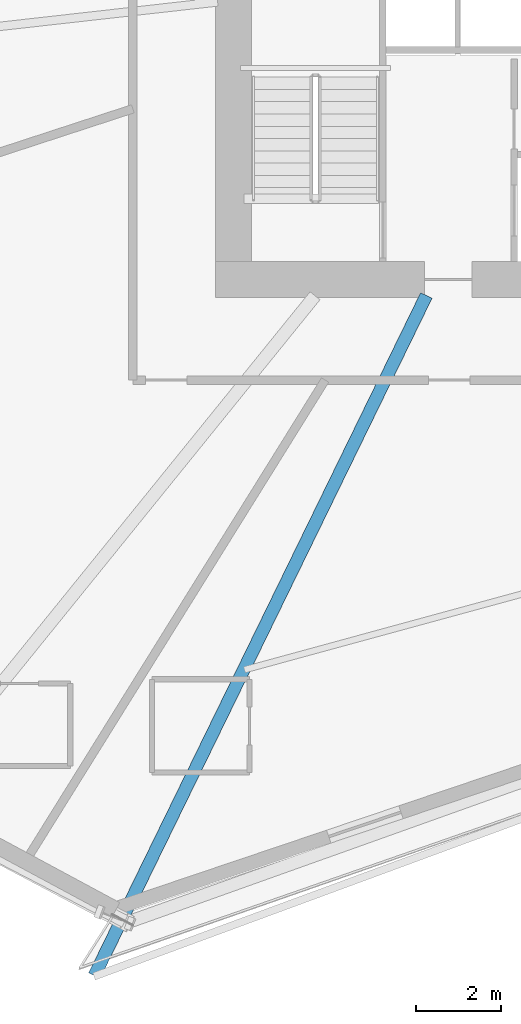
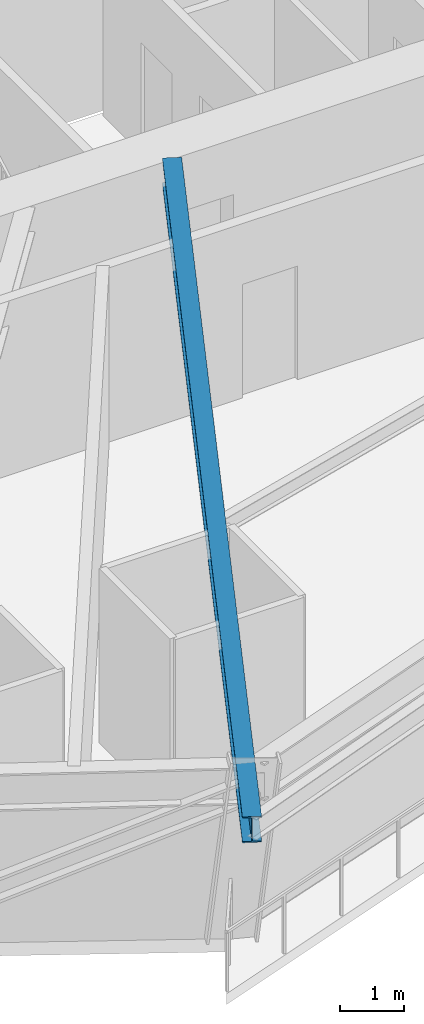
# One storey, part 3 of 22: 1 beam.
"""IFC4 building model written with IfcOpenShell, lengths in metres."""

from ifc_helpers import new_model, si_unit, direction, frame, origin, origin_2d, place, context, subcontext, project, spatial, i_section, extrude, source, transform, mapped, material, material_profile, profile_set, type_object, element, save


model = new_model("IFC4")

# Units and contexts
model_context = context("Model", 3, precision=1e-05, world=origin(), true_north=direction((0.0, 1.0)))
body_context = subcontext(model_context, "Body", "Model", "MODEL_VIEW")
ifc_project = project(units=[si_unit("LENGTHUNIT", "METRE"), si_unit("AREAUNIT", "SQUARE_METRE"), si_unit("VOLUMEUNIT", "CUBIC_METRE"), si_unit("PLANEANGLEUNIT", "RADIAN"), si_unit("MASSUNIT", "GRAM", prefix="KILO")], contexts=[model_context])

# Site, building, storey
site_placement = place(None, origin())
site = spatial("IfcSite", under=ifc_project, at=site_placement, CompositionType="ELEMENT")
building_placement = place(site_placement, origin())
building = spatial("IfcBuilding", under=site, at=building_placement, Name="Olszyna Solenne Hotel", CompositionType="ELEMENT")
storey_placement = place(building_placement, frame((0.0, 0.0, 57.699951171875)))
storey = spatial("IfcBuildingStorey", under=building, at=storey_placement, Name="L14", CompositionType="ELEMENT", Elevation=57.699951171875)

# Beam
ifc_material = material(Name="Steel S355J2", Category="steel")
ifc_material_profile = material_profile(ifc_material, i_section(OverallWidth=0.300048828125, OverallDepth=0.489990234375, WebThickness=0.011962890625, FlangeThickness=0.02294921875, at=origin_2d()), Name="HEA 500", Category="load-bearing")
ifc_profile_set = profile_set([ifc_material_profile], Name="Steel S355J2")
beam_type = type_object("IfcBeamType", Name="BM-G1", PredefinedType="BEAM", material=ifc_profile_set)
shared_shape = source(origin(), body_context, "Body", "SweptSolid", [
    extrude(i_section(OverallWidth=0.300048828125, OverallDepth=0.489990234375, WebThickness=0.011962890625, FlangeThickness=0.02294921875, at=origin_2d()), origin(), (0.0, 0.0, 1.0), 17.865234375),
])
beam_placement = place(storey_placement, frame((26.391357421875, 2.639892578125, 3.054931640625), z_axis=(0.438611013884, 0.898677015673, 0.0), x_axis=(-0.898677015673, 0.438611013884, 0.0)))
element("IfcBeam", 1, at=beam_placement, inside=storey, type_object=beam_type, Name="Radial floor girder BM-G1 B-L14-0455", PredefinedType="BEAM", context=body_context, shape_type="MappedRepresentation", body=[
    mapped(shared_shape, transform((0.0, 0.0, 0.0), x_axis=(1.0, 0.0, 0.0), y_axis=(0.0, 1.0, 0.0), z_axis=(0.0, 0.0, 1.0), scale=1.0)),
])

save(model, "model.ifc")
